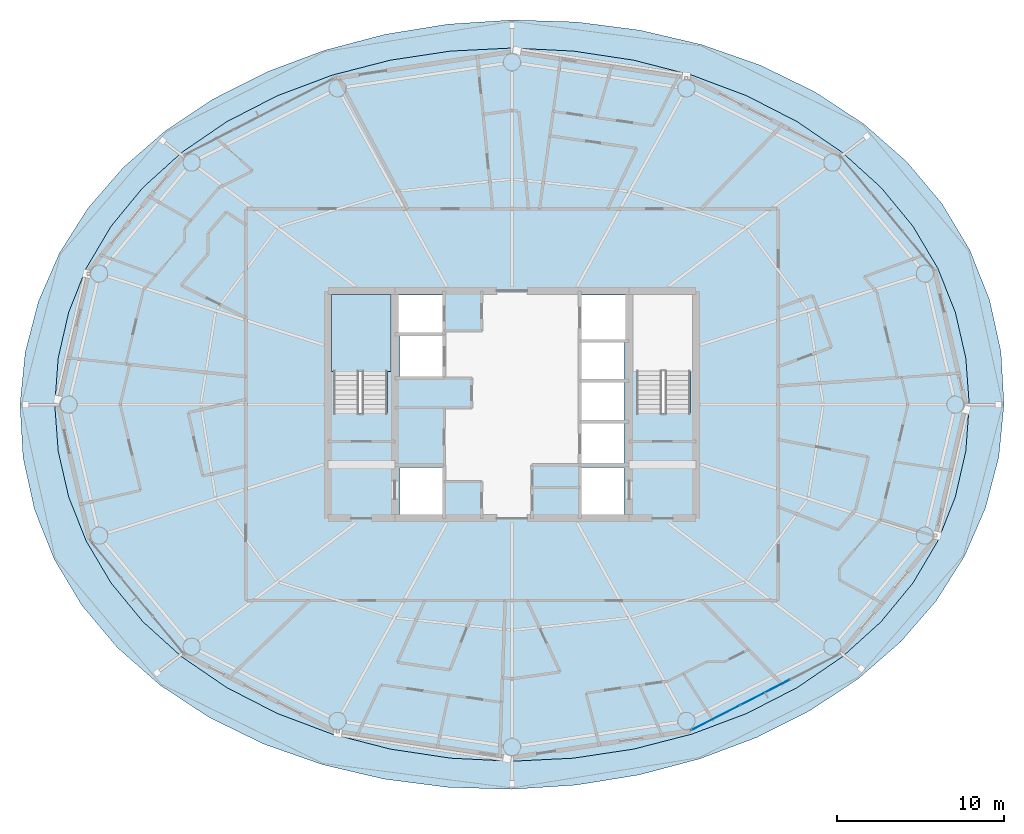
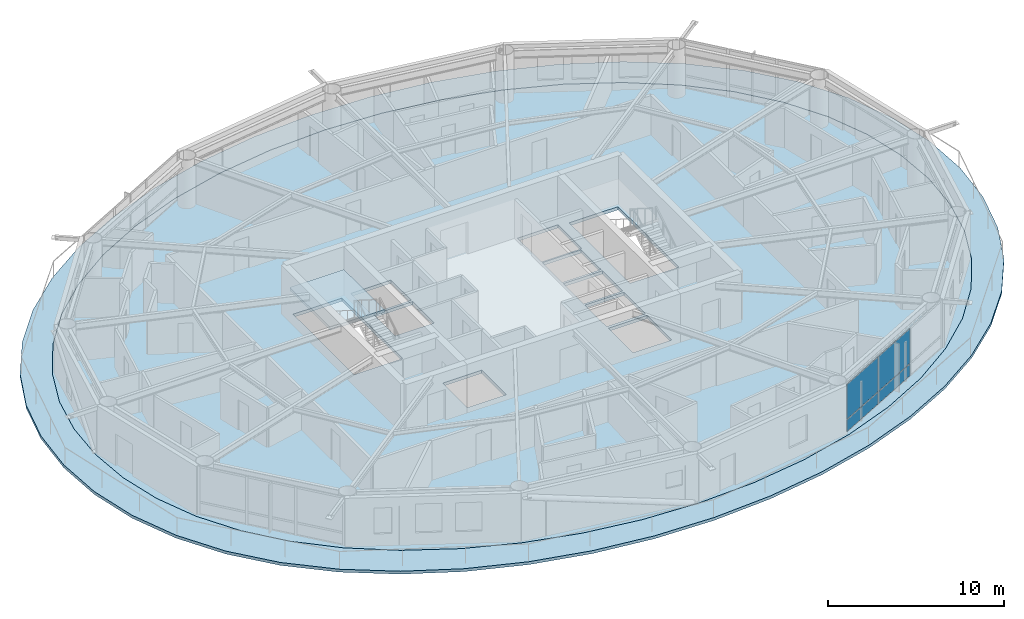
# One storey, part 17 of 27: 4 plates, 3 slabs, 2 elements without a shape of their own.
"""IFC4 building model written with IfcOpenShell, lengths in metres."""

from ifc_helpers import new_model, si_unit, direction, frame, origin, origin_2d, place, context, subcontext, project, spatial, polyline, rectangle, outline, extrude, material, layer, layer_set, type_object, element, aggregate, save


model = new_model("IFC4")

# Units and contexts
model_context = context("Model", 3, precision=1e-05, world=origin(), true_north=direction((0.0, 1.0)))
body_context = subcontext(model_context, "Body", "Model", "MODEL_VIEW")
ifc_project = project(units=[si_unit("LENGTHUNIT", "METRE"), si_unit("AREAUNIT", "SQUARE_METRE"), si_unit("VOLUMEUNIT", "CUBIC_METRE"), si_unit("PLANEANGLEUNIT", "RADIAN"), si_unit("MASSUNIT", "GRAM", prefix="KILO")], contexts=[model_context])

# Site, building, storey
site_placement = place(None, origin())
site = spatial("IfcSite", under=ifc_project, at=site_placement, CompositionType="ELEMENT")
building_placement = place(site_placement, origin())
building = spatial("IfcBuilding", under=site, at=building_placement, Name="Sarneth Arch Tower", CompositionType="ELEMENT")
storey_placement = place(building_placement, frame((0.0, 0.0, 157.800048828125)))
storey = spatial("IfcBuildingStorey", under=building, at=storey_placement, Name="L39", CompositionType="ELEMENT", Elevation=157.800048828125)

# Curtain wall, plates
ifc_material_1 = material(Name="Anodised aluminium Type AA25 and solar-control low-e laminated IGU", Category="aluminium")
ifc_layer_1 = layer(ifc_material_1, 0.169921875)
ifc_layer_set_1 = layer_set([ifc_layer_1], Name="Anodised aluminium Type AA25 and solar-control low-e laminated IGU")
curtain_wall_type = type_object("IfcCurtainWallType", Name="CW-RES-MID", PredefinedType="NOTDEFINED", material=ifc_layer_set_1)
curtain_wall_placement = place(storey_placement, origin())
curtain_wall = element("IfcCurtainWall", 1, at=curtain_wall_placement, inside=storey, type_object=curtain_wall_type, Name="L39 Unitised curtain wall facet 14", PredefinedType="NOTDEFINED")
ifc_material_2 = material(Name="Solar-control low-e laminated IGU", Category="glass")
ifc_layer_2 = layer(ifc_material_2, 0.028076171875)
ifc_layer_set_2 = layer_set([ifc_layer_2], Name="Solar-control low-e laminated IGU")
plate_type = type_object("IfcPlateType", Name="CW-PANEL", PredefinedType="CURTAIN_PANEL", material=ifc_layer_set_2)
plate_1_placement = place(storey_placement, frame((60.16162109375, 23.29296875, 0.059814453125), z_axis=(0.0, 0.0, 1.0), x_axis=(0.88987293003, 0.456208470329, 0.0)))
plate_1 = element("IfcPlate", 2, at=plate_1_placement, type_object=plate_type, Name="Curtain wall glazed vision pane CW-L39-F14/P00-00", PredefinedType="CURTAIN_PANEL", context=body_context, shape_type="SweptSolid", body=[
    extrude(rectangle(XDim=3.248779296875, YDim=0.028076171875, at=origin_2d()), origin(), (0.0, 0.0, 1.0), 0.81005859375),
])
plate_2_placement = place(storey_placement, frame((60.16162109375, 23.29296875, 0.93017578125), z_axis=(0.0, 0.0, 1.0), x_axis=(0.88987293003, 0.456208470329, 0.0)))
plate_2 = element("IfcPlate", 3, at=plate_2_placement, type_object=plate_type, Name="Curtain wall glazed vision pane CW-L39-F14/P00-01", PredefinedType="CURTAIN_PANEL", context=body_context, shape_type="SweptSolid", body=[
    extrude(rectangle(XDim=3.248779296875, YDim=0.028076171875, at=origin_2d()), origin(), (0.0, 0.0, 1.0), 2.389892578125),
])
plate_3_placement = place(storey_placement, frame((63.119384765625, 24.809326171875, 0.059814453125), z_axis=(0.0, 0.0, 1.0), x_axis=(0.88987293003, 0.456208470329, 0.0)))
plate_3 = element("IfcPlate", 4, at=plate_3_placement, type_object=plate_type, Name="Curtain wall glazed vision pane CW-L39-F14/P01-00", PredefinedType="CURTAIN_PANEL", context=body_context, shape_type="SweptSolid", body=[
    extrude(rectangle(XDim=3.27880859375, YDim=0.028076171875, at=origin_2d()), origin(), (0.0, 0.0, 1.0), 0.81005859375),
])
plate_4_placement = place(storey_placement, frame((63.119384765625, 24.809326171875, 0.93017578125), z_axis=(0.0, 0.0, 1.0), x_axis=(0.88987293003, 0.456208470329, 0.0)))
plate_4 = element("IfcPlate", 5, at=plate_4_placement, type_object=plate_type, Name="Curtain wall glazed vision pane CW-L39-F14/P01-01", PredefinedType="CURTAIN_PANEL", context=body_context, shape_type="SweptSolid", body=[
    extrude(rectangle(XDim=3.27880859375, YDim=0.028076171875, at=origin_2d()), origin(), (0.0, 0.0, 1.0), 2.389892578125),
])
aggregate(curtain_wall, [plate_1, plate_2, plate_3, plate_4])

# Slab
ifc_material_3 = material(Name="Concrete C50/60", Category="concrete")
ifc_layer_3 = layer(ifc_material_3, 0.199951171875)
ifc_layer_set_3 = layer_set([ifc_layer_3], Name="Concrete C50/60")
slab_type_1 = type_object("IfcSlabType", Name="SLAB-BALC-200", PredefinedType="FLOOR", material=ifc_layer_set_3)
slab_1_placement = place(storey_placement, frame((0.0, 0.0, -0.199951171875)))
element("IfcSlab", 6, at=slab_1_placement, inside=storey, type_object=slab_type_1, Name="L39 Helical balcony band slab", PredefinedType="FLOOR", context=body_context, shape_type="SweptSolid", body=[
    extrude(outline(polyline([(77.38818359375, 42.0), (77.207275390625, 45.1552734375), (76.527099609375, 48.254150390625), (75.3505859375, 51.2216796875), (73.689453125, 53.994384765625), (71.565185546875, 56.521728515625), (69.01220703125, 58.76416015625), (66.078369140625, 60.68994140625), (62.82470703125, 62.276123046875), (59.320068359375, 63.50537109375), (55.635986328125, 64.367431640625), (51.84130859375, 64.857177734375), (48.0, 64.974853515625), (44.171875, 64.725341796875), (40.414794921875, 64.116455078125), (36.788330078125, 63.159912109375), (33.352783203125, 61.86962890625), (30.169677734375, 60.261962890625), (27.2958984375, 58.354736328125), (24.780517578125, 56.16796875), (22.661376953125, 53.722900390625), (20.9658203125, 51.04541015625), (19.713623046875, 48.1669921875), (18.92333984375, 45.132080078125), (18.61181640625, 42.0), (18.792724609375, 38.8447265625), (19.472900390625, 35.745849609375), (20.6494140625, 32.7783203125), (22.310546875, 30.005615234375), (24.434814453125, 27.478271484375), (26.98779296875, 25.23583984375), (29.921630859375, 23.31005859375), (33.17529296875, 21.723876953125), (36.679931640625, 20.49462890625), (40.364013671875, 19.632568359375), (44.15869140625, 19.142822265625), (48.0, 19.025146484375), (51.828125, 19.274658203125), (55.585205078125, 19.883544921875), (59.211669921875, 20.840087890625), (62.647216796875, 22.13037109375), (65.830322265625, 23.738037109375), (68.7041015625, 25.645263671875), (71.219482421875, 27.83203125), (73.338623046875, 30.277099609375), (75.0341796875, 32.95458984375), (76.286376953125, 35.8330078125), (77.07666015625, 38.867919921875), (77.38818359375, 42.0)]), holes=[polyline([(75.313232421875, 42.0), (75.10595703125, 44.7802734375), (74.48095703125, 47.512939453125), (73.431396484375, 50.151123046875), (71.9521484375, 52.64990234375), (70.0458984375, 54.966552734375), (67.730712890625, 57.061279296875), (65.04052734375, 58.8984375), (62.025390625, 60.4462890625), (58.7470703125, 61.6787109375), (55.27197265625, 62.57421875), (51.667724609375, 63.11767578125), (48.0, 63.300048828125), (44.332275390625, 63.11767578125), (40.72802734375, 62.57421875), (37.2529296875, 61.6787109375), (33.974609375, 60.4462890625), (30.95947265625, 58.8984375), (28.269287109375, 57.061279296875), (25.9541015625, 54.966552734375), (24.0478515625, 52.64990234375), (22.568603515625, 50.151123046875), (21.51904296875, 47.512939453125), (20.89404296875, 44.7802734375), (20.686767578125, 42.0), (20.89404296875, 39.2197265625), (21.51904296875, 36.487060546875), (22.568603515625, 33.848876953125), (24.0478515625, 31.35009765625), (25.9541015625, 29.033447265625), (28.269287109375, 26.938720703125), (30.95947265625, 25.1015625), (33.974609375, 23.5537109375), (37.2529296875, 22.3212890625), (40.72802734375, 21.42578125), (44.332275390625, 20.88232421875), (48.0, 20.699951171875), (51.667724609375, 20.88232421875), (55.27197265625, 21.42578125), (58.7470703125, 22.3212890625), (62.025390625, 23.5537109375), (65.04052734375, 25.1015625), (67.730712890625, 26.938720703125), (70.0458984375, 29.033447265625), (71.9521484375, 31.35009765625), (73.431396484375, 33.848876953125), (74.48095703125, 36.487060546875), (75.10595703125, 39.2197265625), (75.313232421875, 42.0)])]), origin(), (0.0, 0.0, 1.0), 0.199951171875),
])

# Stair, slab
ifc_material_4 = material(Name="Concrete C50/60", Category="concrete")
stair_type = type_object("IfcStairType", Name="STAIR-CORE-RC", PredefinedType="HALF_TURN_STAIR", material=ifc_material_4)
stair_placement = place(storey_placement, origin())
stair = element("IfcStair", 7, at=stair_placement, inside=storey, type_object=stair_type, Name="L39 Core Exit Stair 1", PredefinedType="HALF_TURN_STAIR")
ifc_material_5 = material(Name="Concrete C50/60", Category="concrete")
ifc_layer_4 = layer(ifc_material_5, 0.199951171875)
ifc_layer_set_4 = layer_set([ifc_layer_4], Name="Concrete C50/60")
slab_type_2 = type_object("IfcSlabType", Name="SLAB-LANDING-200", PredefinedType="LANDING", material=ifc_layer_set_4)
slab_2_placement = place(storey_placement, frame((0.0, 0.0, 1.599853515625)))
slab_2 = element("IfcSlab", 8, at=slab_2_placement, type_object=slab_type_2, Name="ST-1 landing 1", PredefinedType="LANDING", context=body_context, shape_type="SweptSolid", body=[
    extrude(outline(polyline([(37.22509765625, 43.985107421875), (40.77490234375, 43.985107421875), (40.77490234375, 48.574951171875), (37.22509765625, 48.574951171875), (37.22509765625, 43.985107421875)])), origin(), (0.0, 0.0, 1.0), 0.2001953125),
])
aggregate(stair, [slab_2])

# Slab
ifc_material_6 = material(Name="Concrete C50/60", Category="concrete")
ifc_layer_5 = layer(ifc_material_6, 0.219970703125)
ifc_layer_set_5 = layer_set([ifc_layer_5], Name="Concrete C50/60")
slab_type_3 = type_object("IfcSlabType", Name="SLAB-TOWER-220", PredefinedType="FLOOR", material=ifc_layer_set_5)
slab_3_placement = place(storey_placement, frame((0.0, 0.0, -0.219970703125)))
element("IfcSlab", 9, at=slab_3_placement, inside=storey, type_object=slab_type_3, Name="L39 Elliptical floor slab", PredefinedType="FLOOR", context=body_context, shape_type="SweptSolid", body=[
    extrude(outline(polyline([(75.313232421875, 42.0), (75.10595703125, 44.7802734375), (74.48095703125, 47.512939453125), (73.431396484375, 50.151123046875), (71.9521484375, 52.64990234375), (70.0458984375, 54.966552734375), (67.730712890625, 57.061279296875), (65.04052734375, 58.8984375), (62.025390625, 60.4462890625), (58.7470703125, 61.6787109375), (55.27197265625, 62.57421875), (51.667724609375, 63.11767578125), (48.0, 63.300048828125), (44.332275390625, 63.11767578125), (40.72802734375, 62.57421875), (37.2529296875, 61.6787109375), (33.974609375, 60.4462890625), (30.95947265625, 58.8984375), (28.269287109375, 57.061279296875), (25.9541015625, 54.966552734375), (24.0478515625, 52.64990234375), (22.568603515625, 50.151123046875), (21.51904296875, 47.512939453125), (20.89404296875, 44.7802734375), (20.686767578125, 42.0), (20.89404296875, 39.2197265625), (21.51904296875, 36.487060546875), (22.568603515625, 33.848876953125), (24.0478515625, 31.35009765625), (25.9541015625, 29.033447265625), (28.269287109375, 26.938720703125), (30.95947265625, 25.1015625), (33.974609375, 23.5537109375), (37.2529296875, 22.3212890625), (40.72802734375, 21.42578125), (44.332275390625, 20.88232421875), (48.0, 20.699951171875), (51.667724609375, 20.88232421875), (55.27197265625, 21.42578125), (58.7470703125, 22.3212890625), (62.025390625, 23.5537109375), (65.04052734375, 25.1015625), (67.730712890625, 26.938720703125), (70.0458984375, 29.033447265625), (71.9521484375, 31.35009765625), (73.431396484375, 33.848876953125), (74.48095703125, 36.487060546875), (75.10595703125, 39.2197265625), (75.313232421875, 42.0)]), holes=[polyline([(37.35009765625, 41.489990234375), (40.550048828125, 41.489990234375), (40.550048828125, 48.39990234375), (37.35009765625, 48.39990234375), (37.35009765625, 41.489990234375)]), polyline([(55.449951171875, 41.489990234375), (58.64990234375, 41.489990234375), (58.64990234375, 48.39990234375), (55.449951171875, 48.39990234375), (55.449951171875, 41.489990234375)]), polyline([(41.199951171875, 46.25), (43.85009765625, 46.25), (43.85009765625, 48.550048828125), (41.199951171875, 48.550048828125), (41.199951171875, 46.25)]), polyline([(41.300048828125, 35.449951171875), (43.85009765625, 35.449951171875), (43.85009765625, 38.25), (41.300048828125, 38.25), (41.300048828125, 35.449951171875)]), polyline([(52.14990234375, 35.449951171875), (54.699951171875, 35.449951171875), (54.699951171875, 38.25), (52.14990234375, 38.25), (52.14990234375, 35.449951171875)]), polyline([(52.14990234375, 45.85009765625), (54.800048828125, 45.85009765625), (54.800048828125, 48.550048828125), (52.14990234375, 48.550048828125), (52.14990234375, 45.85009765625)]), polyline([(41.300048828125, 43.64990234375), (43.85009765625, 43.64990234375), (43.85009765625, 46.10009765625), (41.300048828125, 46.10009765625), (41.300048828125, 43.64990234375)]), polyline([(52.14990234375, 38.449951171875), (54.699951171875, 38.449951171875), (54.699951171875, 40.89990234375), (52.14990234375, 40.89990234375), (52.14990234375, 38.449951171875)]), polyline([(52.14990234375, 41.050048828125), (54.699951171875, 41.050048828125), (54.699951171875, 43.35009765625), (52.14990234375, 43.35009765625), (52.14990234375, 41.050048828125)]), polyline([(52.14990234375, 43.5), (54.699951171875, 43.5), (54.699951171875, 45.75), (52.14990234375, 45.75), (52.14990234375, 43.5)])]), origin(), (0.0, 0.0, 1.0), 0.219970703125),
])

save(model, "model.ifc")
